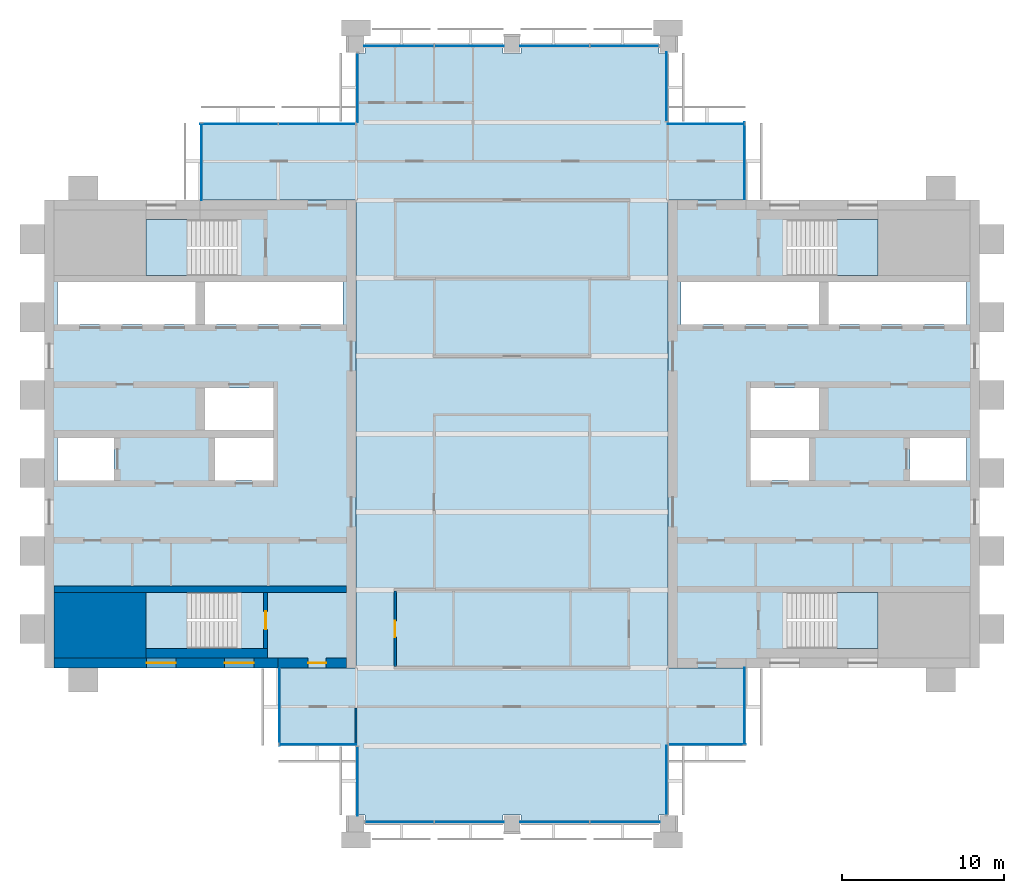
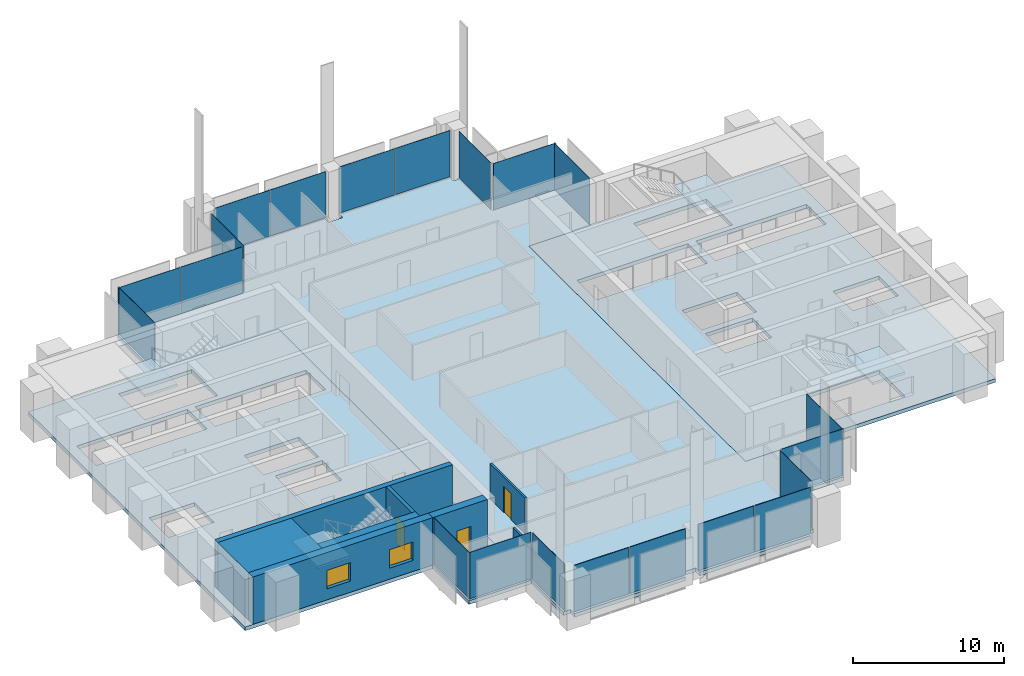
# One storey, part 7 of 12: 21 plates, 8 walls, 7 slabs, 3 doors, 2 windows, 5 openings, 18 elements without a shape of their own.
"""IFC4 building model written with IfcOpenShell, lengths in metres."""

from ifc_helpers import new_model, si_unit, direction, frame, frame_2d, origin, origin_2d, place, context, subcontext, project, spatial, polyline, rectangle, outline, extrude, material, layer, layer_set, type_object, element, fill, aggregate, save


model = new_model("IFC4")

# Units and contexts
model_context = context("Model", 3, precision=1e-05, world=origin(), true_north=direction((0.0, 1.0)))
body_context = subcontext(model_context, "Body", "Model", "MODEL_VIEW")
ifc_project = project(units=[si_unit("LENGTHUNIT", "METRE"), si_unit("AREAUNIT", "SQUARE_METRE"), si_unit("VOLUMEUNIT", "CUBIC_METRE"), si_unit("PLANEANGLEUNIT", "RADIAN"), si_unit("MASSUNIT", "GRAM", prefix="KILO")], contexts=[model_context])

# Site, building, storey
site_placement = place(None, origin())
site = spatial("IfcSite", under=ifc_project, at=site_placement, CompositionType="ELEMENT")
building_placement = place(site_placement, origin())
building = spatial("IfcBuilding", under=site, at=building_placement, Name="Baori Bourse Tower", CompositionType="ELEMENT")
storey_placement = place(building_placement, frame((0.0, 0.0, 282.300048828125)))
storey = spatial("IfcBuildingStorey", under=building, at=storey_placement, Name="L61", CompositionType="ELEMENT", Elevation=282.300048828125)

# Curtain wall, plate
ifc_material_1 = material(Name="Pale anodised aluminium", Category="aluminium")
curtain_wall_type_1 = type_object("IfcCurtainWallType", Name="CW2 Curtain wall", PredefinedType="NOTDEFINED", material=ifc_material_1)
curtain_wall_1_placement = place(storey_placement, origin())
curtain_wall_1 = element("IfcCurtainWall", 1, at=curtain_wall_1_placement, inside=storey, type_object=curtain_wall_type_1, Name="Curtain wall CW2 L61 1", PredefinedType="NOTDEFINED")
ifc_material_2 = material(Name="Clear glass", Category="glass")
ifc_layer_1 = layer(ifc_material_2, 0.030029296875)
ifc_layer_set_1 = layer_set([ifc_layer_1], Name="CW2 Curtain wall panel")
plate_type_1 = type_object("IfcPlateType", Name="CW2 Curtain wall panel", PredefinedType="CURTAIN_PANEL", material=ifc_layer_set_1)
plate_1_placement = place(storey_placement, frame((43.110107421875, 40.827392578125, 0.06982421875), z_axis=(0.0, 0.0, 1.0), x_axis=(0.0, 1.0, 0.0)))
plate_1 = element("IfcPlate", 2, at=plate_1_placement, type_object=plate_type_1, Name="Curtain wall CW2 panel", PredefinedType="CURTAIN_PANEL", context=body_context, shape_type="SweptSolid", body=[
    extrude(rectangle(XDim=4.7451171875, YDim=0.030029296875, at=origin_2d()), origin(), (0.0, 0.0, 1.0), 3.77001953125),
])
aggregate(curtain_wall_1, [plate_1])

curtain_wall_2_placement = place(storey_placement, origin())
curtain_wall_2 = element("IfcCurtainWall", 3, at=curtain_wall_2_placement, inside=storey, type_object=curtain_wall_type_1, Name="Curtain wall CW2 L61 2", PredefinedType="NOTDEFINED")
plate_2_placement = place(storey_placement, frame((40.7724609375, 43.110107421875, 0.06982421875), z_axis=(0.0, 0.0, 1.0), x_axis=(-1.0, 0.0, 0.0)))
plate_2 = element("IfcPlate", 4, at=plate_2_placement, type_object=plate_type_1, Name="Curtain wall CW2 panel", PredefinedType="CURTAIN_PANEL", context=body_context, shape_type="SweptSolid", body=[
    extrude(rectangle(XDim=4.7451171875, YDim=0.030029296875, at=origin_2d()), origin(), (0.0, 0.0, 1.0), 3.77001953125),
])
aggregate(curtain_wall_2, [plate_2])

curtain_wall_3_placement = place(storey_placement, origin())
curtain_wall_3 = element("IfcCurtainWall", 5, at=curtain_wall_3_placement, inside=storey, type_object=curtain_wall_type_1, Name="Curtain wall CW2 L61 3", PredefinedType="NOTDEFINED")
plate_3_placement = place(storey_placement, frame((38.31005859375, 45.37744140625, 0.06982421875), z_axis=(0.0, 0.0, 1.0), x_axis=(0.0, 1.0, 0.0)))
plate_3 = element("IfcPlate", 6, at=plate_3_placement, type_object=plate_type_1, Name="Curtain wall CW2 panel", PredefinedType="CURTAIN_PANEL", context=body_context, shape_type="SweptSolid", body=[
    extrude(rectangle(XDim=4.2451171875, YDim=0.030029296875, at=origin_2d()), origin(), (0.0, 0.0, 1.0), 3.77001953125),
])
aggregate(curtain_wall_3, [plate_3])

curtain_wall_4_placement = place(storey_placement, origin())
curtain_wall_4 = element("IfcCurtainWall", 7, at=curtain_wall_4_placement, inside=storey, type_object=curtain_wall_type_1, Name="Curtain wall CW2 L61 5", PredefinedType="NOTDEFINED")
plate_4_placement = place(storey_placement, frame((19.2900390625, 45.322509765625, 0.06982421875), z_axis=(0.0, 0.0, 1.0), x_axis=(0.0, -1.0, 0.0)))
plate_4 = element("IfcPlate", 8, at=plate_4_placement, type_object=plate_type_1, Name="Curtain wall CW2 panel", PredefinedType="CURTAIN_PANEL", context=body_context, shape_type="SweptSolid", body=[
    extrude(rectangle(XDim=4.2451171875, YDim=0.030029296875, at=origin_2d()), origin(), (0.0, 0.0, 1.0), 3.77001953125),
])
aggregate(curtain_wall_4, [plate_4])

# Curtain wall, plates
curtain_wall_5_placement = place(storey_placement, origin())
curtain_wall_5 = element("IfcCurtainWall", 9, at=curtain_wall_5_placement, inside=storey, type_object=curtain_wall_type_1, Name="Curtain wall CW2 L61 6", PredefinedType="NOTDEFINED")
plate_5_placement = place(storey_placement, frame((16.7861328125, 43.110107421875, 0.06982421875), z_axis=(0.0, 0.0, 1.0), x_axis=(-1.0, 0.0, 0.0)))
plate_5 = element("IfcPlate", 10, at=plate_5_placement, type_object=plate_type_1, Name="Curtain wall CW2 panel", PredefinedType="CURTAIN_PANEL", context=body_context, shape_type="SweptSolid", body=[
    extrude(rectangle(XDim=4.717529296875, YDim=0.030029296875, at=origin_2d()), origin(), (0.0, 0.0, 1.0), 3.77001953125),
])
plate_6_placement = place(storey_placement, frame((11.986328125, 43.110107421875, 0.06982421875), z_axis=(0.0, 0.0, 1.0), x_axis=(-1.0, 0.0, 0.0)))
plate_6 = element("IfcPlate", 11, at=plate_6_placement, type_object=plate_type_1, Name="Curtain wall CW2 panel", PredefinedType="CURTAIN_PANEL", context=body_context, shape_type="SweptSolid", body=[
    extrude(rectangle(XDim=4.7724609375, YDim=0.030029296875, at=origin_2d()), origin(), (0.0, 0.0, 1.0), 3.77001953125),
])
aggregate(curtain_wall_5, [plate_5, plate_6])

# Curtain wall, plate
curtain_wall_6_placement = place(storey_placement, origin())
curtain_wall_6 = element("IfcCurtainWall", 12, at=curtain_wall_6_placement, inside=storey, type_object=curtain_wall_type_1, Name="Curtain wall CW2 L61 7", PredefinedType="NOTDEFINED")
plate_7_placement = place(storey_placement, frame((9.68994140625, 40.7724609375, 0.06982421875), z_axis=(0.0, 0.0, 1.0), x_axis=(0.0, -1.0, 0.0)))
plate_7 = element("IfcPlate", 13, at=plate_7_placement, type_object=plate_type_1, Name="Curtain wall CW2 panel", PredefinedType="CURTAIN_PANEL", context=body_context, shape_type="SweptSolid", body=[
    extrude(rectangle(XDim=4.7451171875, YDim=0.030029296875, at=origin_2d()), origin(), (0.0, 0.0, 1.0), 3.77001953125),
])
aggregate(curtain_wall_6, [plate_7])

curtain_wall_7_placement = place(storey_placement, origin())
curtain_wall_7 = element("IfcCurtainWall", 14, at=curtain_wall_7_placement, inside=storey, type_object=curtain_wall_type_1, Name="Curtain wall CW2 L61 8", PredefinedType="NOTDEFINED")
plate_8_placement = place(storey_placement, frame((14.489990234375, 7.172607421875, 0.06982421875), z_axis=(0.0, 0.0, 1.0), x_axis=(0.0, -1.0, 0.0)))
plate_8 = element("IfcPlate", 15, at=plate_8_placement, type_object=plate_type_1, Name="Curtain wall CW2 panel", PredefinedType="CURTAIN_PANEL", context=body_context, shape_type="SweptSolid", body=[
    extrude(rectangle(XDim=4.7451171875, YDim=0.030029296875, at=origin_2d()), origin(), (0.0, 0.0, 1.0), 3.77001953125),
])
aggregate(curtain_wall_7, [plate_8])

curtain_wall_8_placement = place(storey_placement, origin())
curtain_wall_8 = element("IfcCurtainWall", 16, at=curtain_wall_8_placement, inside=storey, type_object=curtain_wall_type_1, Name="Curtain wall CW2 L61 9", PredefinedType="NOTDEFINED")
plate_9_placement = place(storey_placement, frame((16.827392578125, 4.889892578125, 0.06982421875), z_axis=(0.0, 0.0, 1.0), x_axis=(1.0, 0.0, 0.0)))
plate_9 = element("IfcPlate", 17, at=plate_9_placement, type_object=plate_type_1, Name="Curtain wall CW2 panel", PredefinedType="CURTAIN_PANEL", context=body_context, shape_type="SweptSolid", body=[
    extrude(rectangle(XDim=4.7451171875, YDim=0.030029296875, at=origin_2d()), origin(), (0.0, 0.0, 1.0), 3.77001953125),
])
aggregate(curtain_wall_8, [plate_9])

curtain_wall_9_placement = place(storey_placement, origin())
curtain_wall_9 = element("IfcCurtainWall", 18, at=curtain_wall_9_placement, inside=storey, type_object=curtain_wall_type_1, Name="Curtain wall CW2 L61 10", PredefinedType="NOTDEFINED")
plate_10_placement = place(storey_placement, frame((19.2900390625, 2.62255859375, 0.06982421875), z_axis=(0.0, 0.0, 1.0), x_axis=(0.0, -1.0, 0.0)))
plate_10 = element("IfcPlate", 19, at=plate_10_placement, type_object=plate_type_1, Name="Curtain wall CW2 panel", PredefinedType="CURTAIN_PANEL", context=body_context, shape_type="SweptSolid", body=[
    extrude(rectangle(XDim=4.2451171875, YDim=0.030029296875, at=origin_2d()), origin(), (0.0, 0.0, 1.0), 3.77001953125),
])
aggregate(curtain_wall_9, [plate_10])

curtain_wall_10_placement = place(storey_placement, origin())
curtain_wall_10 = element("IfcCurtainWall", 20, at=curtain_wall_10_placement, inside=storey, type_object=curtain_wall_type_1, Name="Curtain wall CW2 L61 12", PredefinedType="NOTDEFINED")
plate_11_placement = place(storey_placement, frame((38.31005859375, 2.677490234375, 0.06982421875), z_axis=(0.0, 0.0, 1.0), x_axis=(0.0, 1.0, 0.0)))
plate_11 = element("IfcPlate", 21, at=plate_11_placement, type_object=plate_type_1, Name="Curtain wall CW2 panel", PredefinedType="CURTAIN_PANEL", context=body_context, shape_type="SweptSolid", body=[
    extrude(rectangle(XDim=4.2451171875, YDim=0.030029296875, at=origin_2d()), origin(), (0.0, 0.0, 1.0), 3.77001953125),
])
aggregate(curtain_wall_10, [plate_11])

curtain_wall_11_placement = place(storey_placement, origin())
curtain_wall_11 = element("IfcCurtainWall", 22, at=curtain_wall_11_placement, inside=storey, type_object=curtain_wall_type_1, Name="Curtain wall CW2 L61 13", PredefinedType="NOTDEFINED")
plate_12_placement = place(storey_placement, frame((40.827392578125, 4.889892578125, 0.06982421875), z_axis=(0.0, 0.0, 1.0), x_axis=(1.0, 0.0, 0.0)))
plate_12 = element("IfcPlate", 23, at=plate_12_placement, type_object=plate_type_1, Name="Curtain wall CW2 panel", PredefinedType="CURTAIN_PANEL", context=body_context, shape_type="SweptSolid", body=[
    extrude(rectangle(XDim=4.7451171875, YDim=0.030029296875, at=origin_2d()), origin(), (0.0, 0.0, 1.0), 3.77001953125),
])
aggregate(curtain_wall_11, [plate_12])

curtain_wall_12_placement = place(storey_placement, origin())
curtain_wall_12 = element("IfcCurtainWall", 24, at=curtain_wall_12_placement, inside=storey, type_object=curtain_wall_type_1, Name="Curtain wall CW2 L61 14", PredefinedType="NOTDEFINED")
plate_13_placement = place(storey_placement, frame((43.110107421875, 7.2275390625, 0.06982421875), z_axis=(0.0, 0.0, 1.0), x_axis=(0.0, 1.0, 0.0)))
plate_13 = element("IfcPlate", 25, at=plate_13_placement, type_object=plate_type_1, Name="Curtain wall CW2 panel", PredefinedType="CURTAIN_PANEL", context=body_context, shape_type="SweptSolid", body=[
    extrude(rectangle(XDim=4.7451171875, YDim=0.030029296875, at=origin_2d()), origin(), (0.0, 0.0, 1.0), 3.77001953125),
])
aggregate(curtain_wall_12, [plate_13])

# Curtain wall, plates
ifc_material_3 = material(Name="Pale anodised aluminium", Category="aluminium")
curtain_wall_type_2 = type_object("IfcCurtainWallType", Name="CW5 Curtain wall", PredefinedType="NOTDEFINED", material=ifc_material_3)
curtain_wall_13_placement = place(storey_placement, origin())
curtain_wall_13 = element("IfcCurtainWall", 26, at=curtain_wall_13_placement, inside=storey, type_object=curtain_wall_type_2, Name="Curtain wall CW5 L61 4", PredefinedType="NOTDEFINED")
ifc_material_4 = material(Name="Clear glass", Category="glass")
ifc_layer_2 = layer(ifc_material_4, 0.035888671875)
ifc_layer_set_2 = layer_set([ifc_layer_2], Name="CW5 Curtain wall panel")
plate_type_2 = type_object("IfcPlateType", Name="CW5 Curtain wall panel", PredefinedType="CURTAIN_PANEL", material=ifc_layer_set_2)
plate_14_placement = place(storey_placement, frame((35.733642578125, 47.889892578125, 0.0849609375), z_axis=(0.0, 0.0, 1.0), x_axis=(-1.0, 0.0, 0.0)))
plate_14 = element("IfcPlate", 27, at=plate_14_placement, type_object=plate_type_2, Name="Curtain wall CW5 panel", PredefinedType="CURTAIN_PANEL", context=body_context, shape_type="SweptSolid", body=[
    extrude(rectangle(XDim=4.202392578125, YDim=0.035888671875, at=origin_2d()), origin(), (0.0, 0.0, 1.0), 3.7548828125),
])
plate_15_placement = place(storey_placement, frame((31.433837890625, 47.889892578125, 0.0849609375), z_axis=(0.0, 0.0, 1.0), x_axis=(-1.0, 0.0, 0.0)))
plate_15 = element("IfcPlate", 28, at=plate_15_placement, type_object=plate_type_2, Name="Curtain wall CW5 panel", PredefinedType="CURTAIN_PANEL", context=body_context, shape_type="SweptSolid", body=[
    extrude(rectangle(XDim=4.267578125, YDim=0.035888671875, at=origin_2d()), origin(), (0.0, 0.0, 1.0), 3.7548828125),
])
plate_16_placement = place(storey_placement, frame((26.166259765625, 47.889892578125, 0.0849609375), z_axis=(0.0, 0.0, 1.0), x_axis=(-1.0, 0.0, 0.0)))
plate_16 = element("IfcPlate", 29, at=plate_16_placement, type_object=plate_type_2, Name="Curtain wall CW5 panel", PredefinedType="CURTAIN_PANEL", context=body_context, shape_type="SweptSolid", body=[
    extrude(rectangle(XDim=4.267578125, YDim=0.035888671875, at=origin_2d()), origin(), (0.0, 0.0, 1.0), 3.7548828125),
])
plate_17_placement = place(storey_placement, frame((21.833740234375, 47.889892578125, 0.0849609375), z_axis=(0.0, 0.0, 1.0), x_axis=(-1.0, 0.0, 0.0)))
plate_17 = element("IfcPlate", 30, at=plate_17_placement, type_object=plate_type_2, Name="Curtain wall CW5 panel", PredefinedType="CURTAIN_PANEL", context=body_context, shape_type="SweptSolid", body=[
    extrude(rectangle(XDim=4.267578125, YDim=0.035888671875, at=origin_2d()), origin(), (0.0, 0.0, 1.0), 3.7548828125),
])
aggregate(curtain_wall_13, [plate_14, plate_15, plate_16, plate_17])

curtain_wall_14_placement = place(storey_placement, origin())
curtain_wall_14 = element("IfcCurtainWall", 31, at=curtain_wall_14_placement, inside=storey, type_object=curtain_wall_type_2, Name="Curtain wall CW5 L61 11", PredefinedType="NOTDEFINED")
plate_18_placement = place(storey_placement, frame((21.8662109375, 0.110107421875, 0.0849609375), z_axis=(0.0, 0.0, 1.0), x_axis=(1.0, 0.0, 0.0)))
plate_18 = element("IfcPlate", 32, at=plate_18_placement, type_object=plate_type_2, Name="Curtain wall CW5 panel", PredefinedType="CURTAIN_PANEL", context=body_context, shape_type="SweptSolid", body=[
    extrude(rectangle(XDim=4.202392578125, YDim=0.035888671875, at=origin_2d()), origin(), (0.0, 0.0, 1.0), 3.7548828125),
])
plate_19_placement = place(storey_placement, frame((26.166259765625, 0.110107421875, 0.0849609375), z_axis=(0.0, 0.0, 1.0), x_axis=(1.0, 0.0, 0.0)))
plate_19 = element("IfcPlate", 33, at=plate_19_placement, type_object=plate_type_2, Name="Curtain wall CW5 panel", PredefinedType="CURTAIN_PANEL", context=body_context, shape_type="SweptSolid", body=[
    extrude(rectangle(XDim=4.267578125, YDim=0.035888671875, at=origin_2d()), origin(), (0.0, 0.0, 1.0), 3.7548828125),
])
plate_20_placement = place(storey_placement, frame((31.433837890625, 0.110107421875, 0.0849609375), z_axis=(0.0, 0.0, 1.0), x_axis=(1.0, 0.0, 0.0)))
plate_20 = element("IfcPlate", 34, at=plate_20_placement, type_object=plate_type_2, Name="Curtain wall CW5 panel", PredefinedType="CURTAIN_PANEL", context=body_context, shape_type="SweptSolid", body=[
    extrude(rectangle(XDim=4.267578125, YDim=0.035888671875, at=origin_2d()), origin(), (0.0, 0.0, 1.0), 3.7548828125),
])
plate_21_placement = place(storey_placement, frame((35.766357421875, 0.110107421875, 0.0849609375), z_axis=(0.0, 0.0, 1.0), x_axis=(1.0, 0.0, 0.0)))
plate_21 = element("IfcPlate", 35, at=plate_21_placement, type_object=plate_type_2, Name="Curtain wall CW5 panel", PredefinedType="CURTAIN_PANEL", context=body_context, shape_type="SweptSolid", body=[
    extrude(rectangle(XDim=4.267578125, YDim=0.035888671875, at=origin_2d()), origin(), (0.0, 0.0, 1.0), 3.7548828125),
])
aggregate(curtain_wall_14, [plate_18, plate_19, plate_20, plate_21])

# Slabs
ifc_material_5 = material(Name="Concrete f'c 50 MPa", Category="concrete")
ifc_layer_3 = layer(ifc_material_5, 0.300048828125)
ifc_layer_set_3 = layer_set([ifc_layer_3], Name="Core slab 300")
slab_type_1 = type_object("IfcSlabType", Name="Core slab 300", PredefinedType="FLOOR", material=ifc_layer_set_3)
slab_1_placement = place(storey_placement, frame((0.0, 0.0, -0.300048828125)))
element("IfcSlab", 36, at=slab_1_placement, inside=storey, type_object=slab_type_1, Name="Core floor slab W01", PredefinedType="FLOOR", context=body_context, shape_type="SweptSolid", body=[
    extrude(outline(polyline([(19.199951171875, 38.39990234375), (0.0, 38.39990234375), (0.0, 9.60009765625), (19.199951171875, 9.60009765625), (19.199951171875, 38.39990234375)]), holes=[polyline([(9.89990234375, 33.35009765625), (18.39990234375, 33.35009765625), (18.39990234375, 30.75), (9.89990234375, 30.75), (9.89990234375, 33.35009765625)]), polyline([(10.5, 21.14990234375), (10.5, 23.75), (14.10009765625, 23.75), (14.10009765625, 21.14990234375), (10.5, 21.14990234375)]), polyline([(14.10009765625, 24.25), (9.89990234375, 24.25), (9.89990234375, 26.85009765625), (14.10009765625, 26.85009765625), (14.10009765625, 24.25)]), polyline([(6.25, 14.25), (11.84912109375, 14.25), (11.84912109375, 10.800048828125), (6.25, 10.800048828125), (6.25, 14.25)]), polyline([(11.84912109375, 37.199951171875), (11.84912109375, 33.75), (6.25, 33.75), (6.25, 37.199951171875), (11.84912109375, 37.199951171875)]), polyline([(0.800048828125, 30.75), (0.800048828125, 33.35009765625), (9.300048828125, 33.35009765625), (9.300048828125, 30.75), (0.800048828125, 30.75)]), polyline([(4.300048828125, 23.75), (4.300048828125, 21.14990234375), (0.800048828125, 21.14990234375), (0.800048828125, 23.75), (4.300048828125, 23.75)])]), origin(), (0.0, 0.0, 1.0), 0.300048828125),
])
slab_2_placement = place(storey_placement, frame((0.0, 0.0, -0.300048828125)))
element("IfcSlab", 37, at=slab_2_placement, inside=storey, type_object=slab_type_1, Name="Core floor slab E01", PredefinedType="FLOOR", context=body_context, shape_type="SweptSolid", body=[
    extrude(outline(polyline([(57.60009765625, 9.60009765625), (57.60009765625, 38.39990234375), (38.39990234375, 38.39990234375), (38.39990234375, 9.60009765625), (57.60009765625, 9.60009765625)]), holes=[polyline([(48.300048828125, 33.35009765625), (56.800048828125, 33.35009765625), (56.800048828125, 30.75), (48.300048828125, 30.75), (48.300048828125, 33.35009765625)]), polyline([(56.800048828125, 21.14990234375), (53.300048828125, 21.14990234375), (53.300048828125, 23.75), (56.800048828125, 23.75), (56.800048828125, 21.14990234375)]), polyline([(45.750732421875, 14.25), (51.35009765625, 14.25), (51.35009765625, 10.800048828125), (45.750732421875, 10.800048828125), (45.750732421875, 14.25)]), polyline([(51.35009765625, 37.199951171875), (51.35009765625, 33.75), (45.750732421875, 33.75), (45.750732421875, 37.199951171875), (51.35009765625, 37.199951171875)]), polyline([(43.5, 24.25), (43.5, 26.85009765625), (47.699951171875, 26.85009765625), (47.699951171875, 24.25), (43.5, 24.25)]), polyline([(47.699951171875, 33.35009765625), (47.699951171875, 30.75), (39.199951171875, 30.75), (39.199951171875, 33.35009765625), (47.699951171875, 33.35009765625)]), polyline([(43.5, 23.75), (47.10009765625, 23.75), (47.10009765625, 21.14990234375), (43.5, 21.14990234375), (43.5, 23.75)])]), origin(), (0.0, 0.0, 1.0), 0.300048828125),
])

# Stair, slab
ifc_material_6 = material(Name="Concrete f'c 50 MPa", Category="concrete")
stair_type = type_object("IfcStairType", Name="Core stair", PredefinedType="HALF_TURN_STAIR", material=ifc_material_6)
stair_1_placement = place(storey_placement, origin())
stair_1 = element("IfcStair", 38, at=stair_1_placement, inside=storey, type_object=stair_type, Name="L61 Stair WA", PredefinedType="HALF_TURN_STAIR")
ifc_material_7 = material(Name="Concrete f'c 50 MPa", Category="concrete")
slab_type_2 = type_object("IfcSlabType", Name="Core stair landing", PredefinedType="LANDING", material=ifc_material_7)
slab_3_placement = place(storey_placement, frame((0.0, 0.0, 1.800048828125)))
slab_3 = element("IfcSlab", 39, at=slab_3_placement, type_object=slab_type_2, Name="ST1 landing 1", PredefinedType="LANDING", context=body_context, shape_type="SweptSolid", body=[
    extrude(outline(polyline([(8.77001953125, 14.25), (6.25, 14.25), (6.25, 10.800048828125), (8.77001953125, 10.800048828125), (8.77001953125, 14.25)])), origin(), (0.0, 0.0, 1.0), 0.199951171875),
])
aggregate(stair_1, [slab_3])

stair_2_placement = place(storey_placement, origin())
stair_2 = element("IfcStair", 40, at=stair_2_placement, inside=storey, type_object=stair_type, Name="L61 Stair WB", PredefinedType="HALF_TURN_STAIR")
slab_4_placement = place(storey_placement, frame((0.0, 0.0, 1.800048828125)))
slab_4 = element("IfcSlab", 41, at=slab_4_placement, type_object=slab_type_2, Name="ST2 landing 1", PredefinedType="LANDING", context=body_context, shape_type="SweptSolid", body=[
    extrude(outline(polyline([(8.77001953125, 37.199951171875), (6.25, 37.199951171875), (6.25, 33.75), (8.77001953125, 33.75), (8.77001953125, 37.199951171875)])), origin(), (0.0, 0.0, 1.0), 0.199951171875),
])
aggregate(stair_2, [slab_4])

stair_3_placement = place(storey_placement, origin())
stair_3 = element("IfcStair", 42, at=stair_3_placement, inside=storey, type_object=stair_type, Name="L61 Stair EA", PredefinedType="HALF_TURN_STAIR")
slab_5_placement = place(storey_placement, frame((0.0, 0.0, 1.800048828125)))
slab_5 = element("IfcSlab", 43, at=slab_5_placement, type_object=slab_type_2, Name="ST3 landing 1", PredefinedType="LANDING", context=body_context, shape_type="SweptSolid", body=[
    extrude(outline(polyline([(48.830078125, 10.800048828125), (51.35009765625, 10.800048828125), (51.35009765625, 14.25), (48.830078125, 14.25), (48.830078125, 10.800048828125)])), origin(), (0.0, 0.0, 1.0), 0.199951171875),
])
aggregate(stair_3, [slab_5])

stair_4_placement = place(storey_placement, origin())
stair_4 = element("IfcStair", 44, at=stair_4_placement, inside=storey, type_object=stair_type, Name="L61 Stair EB", PredefinedType="HALF_TURN_STAIR")
slab_6_placement = place(storey_placement, frame((0.0, 0.0, 1.800048828125)))
slab_6 = element("IfcSlab", 45, at=slab_6_placement, type_object=slab_type_2, Name="ST4 landing 1", PredefinedType="LANDING", context=body_context, shape_type="SweptSolid", body=[
    extrude(outline(polyline([(48.830078125, 33.75), (51.35009765625, 33.75), (51.35009765625, 37.199951171875), (48.830078125, 37.199951171875), (48.830078125, 33.75)])), origin(), (0.0, 0.0, 1.0), 0.199951171875),
])
aggregate(stair_4, [slab_6])

# Slab
ifc_material_8 = material(Name="Concrete f'c 40 MPa", Category="concrete")
ifc_layer_4 = layer(ifc_material_8, 0.300048828125)
ifc_layer_set_4 = layer_set([ifc_layer_4], Name="Floor slab 300")
slab_type_3 = type_object("IfcSlabType", Name="Floor slab 300", PredefinedType="FLOOR", material=ifc_layer_set_4)
slab_7_placement = place(storey_placement, frame((0.0, 0.0, -0.300048828125)))
element("IfcSlab", 46, at=slab_7_placement, inside=storey, type_object=slab_type_3, Name="Floor slab L61", PredefinedType="FLOOR", context=body_context, shape_type="SweptSolid", body=[
    extrude(outline(polyline([(19.199951171875, 4.800048828125), (14.39990234375, 4.800048828125), (14.39990234375, 9.60009765625), (19.199951171875, 9.60009765625), (19.199951171875, 38.39990234375), (9.60009765625, 38.39990234375), (9.60009765625, 43.199951171875), (19.199951171875, 43.199951171875), (19.199951171875, 47.449951171875), (19.75, 47.449951171875), (19.75, 48.0), (28.25, 48.0), (28.25, 47.449951171875), (29.35009765625, 47.449951171875), (29.35009765625, 48.0), (37.85009765625, 48.0), (37.85009765625, 47.449951171875), (38.39990234375, 47.449951171875), (38.39990234375, 43.199951171875), (43.199951171875, 43.199951171875), (43.199951171875, 38.39990234375), (38.39990234375, 38.39990234375), (38.39990234375, 9.60009765625), (43.199951171875, 9.60009765625), (43.199951171875, 4.800048828125), (38.39990234375, 4.800048828125), (38.39990234375, 0.550048828125), (37.85009765625, 0.550048828125), (37.85009765625, 0.0), (29.35009765625, 0.0), (29.35009765625, 0.550048828125), (28.25, 0.550048828125), (28.25, 0.0), (19.75, 0.0), (19.75, 0.550048828125), (19.199951171875, 0.550048828125), (19.199951171875, 4.800048828125)])), origin(), (0.0, 0.0, 1.0), 0.300048828125),
])

# Wall
ifc_material_9 = material(Name="Concrete f'c 40 MPa", Category="concrete")
wall_type_1 = type_object("IfcWallType", Name="Core corner block f'c 40", PredefinedType="SHEAR", material=ifc_material_9)
wall_1_placement = place(storey_placement, frame((0.60009765625, 12.22509765625, 0.0), z_axis=(0.0, 0.0, 1.0), x_axis=(1.0, 0.0, 0.0)))
element("IfcWall", 47, at=wall_1_placement, inside=storey, type_object=wall_type_1, Name="Core wall W05", PredefinedType="SHEAR", context=body_context, shape_type="SweptSolid", body=[
    extrude(rectangle(XDim=5.64990234375, YDim=4.050048828125, at=frame_2d((2.824951171875, 0.0))), origin(), (0.0, 0.0, 1.0), 3.83984375),
])

# Wall, openings, windows
ifc_material_10 = material(Name="Concrete f'c 40 MPa", Category="concrete")
ifc_layer_5 = layer(ifc_material_10, 0.60009765625)
ifc_layer_set_5 = layer_set([ifc_layer_5], Name="Core wall 600 f'c 40")
wall_type_2 = type_object("IfcWallType", Name="Core wall 600 f'c 40", PredefinedType="SHEAR", material=ifc_layer_set_5)
wall_2_placement = place(storey_placement, frame((14.39990234375, 9.89990234375, 0.0), z_axis=(0.0, 0.0, 1.0), x_axis=(-1.0, 0.0, 0.0)))
wall_2 = element("IfcWall", 48, at=wall_2_placement, inside=storey, type_object=wall_type_2, Name="Core wall W02", PredefinedType="SHEAR", context=body_context, shape_type="SweptSolid", body=[
    extrude(rectangle(XDim=13.7998046875, YDim=0.60009765625, at=frame_2d((6.89990234375, 0.0))), origin(), (0.0, 0.0, 1.0), 3.83984375),
])
opening_1_placement = place(wall_2_placement, frame((6.300048828125, 0.0, 0.89990234375)))
opening_1 = element("IfcOpeningElement", 49, at=opening_1_placement, cuts=wall_2, Name="Opening L61-KW103", PredefinedType="OPENING", context=body_context, shape_type="SweptSolid", body=[
    extrude(rectangle(XDim=1.800048828125, YDim=1.5, at=frame_2d((0.89990234375, 0.75))), frame((0.0, 0.31005859375, 0.0), z_axis=(0.0, -1.0, 0.0), x_axis=(1.0, 0.0, 0.0)), (0.0, 0.0, 1.0), 0.6201171875),
])
opening_2_placement = place(wall_2_placement, frame((1.5, 0.0, 0.89990234375)))
opening_2 = element("IfcOpeningElement", 50, at=opening_2_placement, cuts=wall_2, Name="Opening L61-KW104", PredefinedType="OPENING", context=body_context, shape_type="SweptSolid", body=[
    extrude(rectangle(XDim=1.800048828125, YDim=1.5, at=frame_2d((0.89990234375, 0.75))), frame((0.0, 0.31005859375, 0.0), z_axis=(0.0, -1.0, 0.0), x_axis=(1.0, 0.0, 0.0)), (0.0, 0.0, 1.0), 0.6201171875),
])
ifc_material_11 = material(Name="Pale anodised aluminium", Category="aluminium")
window_type = type_object("IfcWindowType", Name="Stair window 1800 x 1500", PartitioningType="SINGLE_PANEL", PredefinedType="WINDOW", material=ifc_material_11)
window_1_placement = place(opening_1_placement, origin())
window_1 = element("IfcWindow", 51, at=window_1_placement, inside=storey, type_object=window_type, Name="Stair window W L61 3", OverallHeight=1.5, OverallWidth=1.800048828125, PartitioningType="SINGLE_PANEL", PredefinedType="WINDOW", context=body_context, shape_type="SweptSolid", body=[
    extrude(rectangle(XDim=1.800048828125, YDim=1.5, at=frame_2d((0.89990234375, 0.75))), frame((0.0, 0.030029296875, 0.0), z_axis=(0.0, -1.0, 0.0), x_axis=(1.0, 0.0, 0.0)), (0.0, 0.0, 1.0), 0.06005859375),
])
fill(opening_1, window_1)
window_2_placement = place(opening_2_placement, origin())
window_2 = element("IfcWindow", 52, at=window_2_placement, inside=storey, type_object=window_type, Name="Stair window W L61 4", OverallHeight=1.5, OverallWidth=1.800048828125, PartitioningType="SINGLE_PANEL", PredefinedType="WINDOW", context=body_context, shape_type="SweptSolid", body=[
    extrude(rectangle(XDim=1.800048828125, YDim=1.5, at=frame_2d((0.89990234375, 0.75))), frame((0.0, 0.030029296875, 0.0), z_axis=(0.0, -1.0, 0.0), x_axis=(1.0, 0.0, 0.0)), (0.0, 0.0, 1.0), 0.06005859375),
])
fill(opening_2, window_2)

# Wall, opening, door
wall_3_placement = place(storey_placement, frame((18.60009765625, 9.89990234375, 0.0), z_axis=(0.0, 0.0, 1.0), x_axis=(-1.0, 0.0, 0.0)))
wall_3 = element("IfcWall", 53, at=wall_3_placement, inside=storey, type_object=wall_type_2, Name="Core wall W03", PredefinedType="SHEAR", context=body_context, shape_type="SweptSolid", body=[
    extrude(rectangle(XDim=4.2001953125, YDim=0.60009765625, at=frame_2d((2.10009765625, 0.0))), origin(), (0.0, 0.0, 1.0), 3.83984375),
])
opening_3_placement = place(wall_3_placement, frame((1.25, 0.0, 0.0)))
opening_3 = element("IfcOpeningElement", 54, at=opening_3_placement, cuts=wall_3, Name="Opening L61-D102", PredefinedType="OPENING", context=body_context, shape_type="SweptSolid", body=[
    extrude(rectangle(XDim=1.10009765625, YDim=2.10009765625, at=frame_2d((0.550048828125, 1.050048828125))), frame((0.0, 0.31005859375, 0.0), z_axis=(0.0, -1.0, 0.0), x_axis=(1.0, 0.0, 0.0)), (0.0, 0.0, 1.0), 0.6201171875),
])
ifc_material_12 = material(Name="Painted steel door", Category="steel")
door_type_1 = type_object("IfcDoorType", Name="Stair door 1100", OperationType="SINGLE_SWING_LEFT", PredefinedType="DOOR", material=ifc_material_12)
door_1_placement = place(opening_3_placement, origin())
door_1 = element("IfcDoor", 55, at=door_1_placement, inside=storey, type_object=door_type_1, Name="Stair vestibule door A W L61", OperationType="SINGLE_SWING_LEFT", OverallHeight=2.10009765625, OverallWidth=1.10009765625, PredefinedType="DOOR", context=body_context, shape_type="SweptSolid", body=[
    extrude(rectangle(XDim=1.10009765625, YDim=2.10009765625, at=frame_2d((0.550048828125, 1.050048828125))), frame((0.0, 0.02490234375, 0.0), z_axis=(0.0, -1.0, 0.0), x_axis=(1.0, 0.0, 0.0)), (0.0, 0.0, 1.0), 0.050048828125),
])
fill(opening_3, door_1)

ifc_material_13 = material(Name="Gypsum board partition")
ifc_layer_6 = layer(ifc_material_13, 0.14990234375)
ifc_layer_set_6 = layer_set([ifc_layer_6], Name="Corridor partition 150")
wall_type_3 = type_object("IfcWallType", Name="Corridor partition 150", PredefinedType="PARTITIONING", material=ifc_layer_set_6)
wall_4_placement = place(storey_placement, frame((21.60009765625, 9.675048828125, 0.0), z_axis=(0.0, 0.0, 1.0), x_axis=(0.0, 1.0, 0.0)))
wall_4 = element("IfcWall", 56, at=wall_4_placement, inside=storey, type_object=wall_type_3, Name="Partition", PredefinedType="PARTITIONING", context=body_context, shape_type="SweptSolid", body=[
    extrude(rectangle(XDim=4.64990234375, YDim=0.14990234375, at=frame_2d((2.324951171875, 0.0))), origin(), (0.0, 0.0, 1.0), 2.86962890625),
])
opening_4_placement = place(wall_4_placement, frame((1.824951171875, 0.0, 0.0)))
opening_4 = element("IfcOpeningElement", 57, at=opening_4_placement, cuts=wall_4, Name="Opening L61-D14", PredefinedType="OPENING", context=body_context, shape_type="SweptSolid", body=[
    extrude(rectangle(XDim=1.0, YDim=2.10009765625, at=frame_2d((0.5, 1.050048828125))), frame((0.0, 0.0849609375, 0.0), z_axis=(0.0, -1.0, 0.0), x_axis=(1.0, 0.0, 0.0)), (0.0, 0.0, 1.0), 0.169921875),
])
ifc_material_14 = material(Name="Timber door leaf", Category="wood")
door_type_2 = type_object("IfcDoorType", Name="Door 1000 x 2100", OperationType="SINGLE_SWING_LEFT", PredefinedType="DOOR", material=ifc_material_14)
door_2_placement = place(opening_4_placement, origin())
door_2 = element("IfcDoor", 58, at=door_2_placement, inside=storey, type_object=door_type_2, Name="Door", OperationType="SINGLE_SWING_LEFT", OverallHeight=2.10009765625, OverallWidth=1.0, PredefinedType="DOOR", context=body_context, shape_type="SweptSolid", body=[
    extrude(rectangle(XDim=1.0, YDim=2.10009765625, at=frame_2d((0.5, 1.050048828125))), frame((0.0, 0.02490234375, 0.0), z_axis=(0.0, -1.0, 0.0), x_axis=(1.0, 0.0, 0.0)), (0.0, 0.0, 1.0), 0.050048828125),
])
fill(opening_4, door_2)

# Wall
ifc_material_15 = material(Name="Gypsum board partition")
ifc_layer_7 = layer(ifc_material_15, 0.125)
ifc_layer_set_7 = layer_set([ifc_layer_7], Name="Partition 125")
wall_type_4 = type_object("IfcWallType", Name="Partition 125", PredefinedType="PARTITIONING", material=ifc_layer_set_7)
wall_5_placement = place(storey_placement, frame((19.199951171875, 4.89990234375, 0.0), z_axis=(0.0, 0.0, 1.0), x_axis=(0.0, 1.0, 0.0)))
element("IfcWall", 59, at=wall_5_placement, inside=storey, type_object=wall_type_4, Name="Partition", PredefinedType="PARTITIONING", context=body_context, shape_type="SweptSolid", body=[
    extrude(rectangle(XDim=2.22509765625, YDim=0.125, at=frame_2d((1.112548828125, 0.0))), origin(), (0.0, 0.0, 1.0), 2.86962890625),
])

# Wall, opening, door
ifc_material_16 = material(Name="Concrete f'c 40 MPa", Category="concrete")
ifc_layer_8 = layer(ifc_material_16, 0.25)
ifc_layer_set_8 = layer_set([ifc_layer_8], Name="Shaft wall 250 f'c 40")
wall_type_5 = type_object("IfcWallType", Name="Shaft wall 250 f'c 40", PredefinedType="SHEAR", material=ifc_layer_set_8)
wall_6_placement = place(storey_placement, frame((13.625, 10.800048828125, 0.0), z_axis=(0.0, 0.0, 1.0), x_axis=(0.0, 1.0, 0.0)))
wall_6 = element("IfcWall", 60, at=wall_6_placement, inside=storey, type_object=wall_type_5, Name="Core wall W07", PredefinedType="SHEAR", context=body_context, shape_type="SweptSolid", body=[
    extrude(rectangle(XDim=3.449951171875, YDim=0.25, at=frame_2d((1.72509765625, 0.0))), origin(), (0.0, 0.0, 1.0), 3.83984375),
])
opening_5_placement = place(wall_6_placement, frame((1.175048828125, 0.0, 0.0)))
opening_5 = element("IfcOpeningElement", 61, at=opening_5_placement, cuts=wall_6, Name="Opening L61-D101", PredefinedType="OPENING", context=body_context, shape_type="SweptSolid", body=[
    extrude(rectangle(XDim=1.10009765625, YDim=2.10009765625, at=frame_2d((0.550048828125, 1.050048828125))), frame((0.0, 0.135009765625, 0.0), z_axis=(0.0, -1.0, 0.0), x_axis=(1.0, 0.0, 0.0)), (0.0, 0.0, 1.0), 0.27001953125),
])
door_3_placement = place(opening_5_placement, origin())
door_3 = element("IfcDoor", 62, at=door_3_placement, inside=storey, type_object=door_type_1, Name="Stair door A W L61", OperationType="SINGLE_SWING_LEFT", OverallHeight=2.10009765625, OverallWidth=1.10009765625, PredefinedType="DOOR", context=body_context, shape_type="SweptSolid", body=[
    extrude(rectangle(XDim=1.10009765625, YDim=2.10009765625, at=frame_2d((0.550048828125, 1.050048828125))), frame((0.0, 0.02490234375, 0.0), z_axis=(0.0, -1.0, 0.0), x_axis=(1.0, 0.0, 0.0)), (0.0, 0.0, 1.0), 0.050048828125),
])
fill(opening_5, door_3)

# Walls
ifc_material_17 = material(Name="Concrete f'c 40 MPa", Category="concrete")
ifc_layer_9 = layer(ifc_material_17, 0.39990234375)
ifc_layer_set_9 = layer_set([ifc_layer_9], Name="Shaft wall 400 f'c 40")
wall_type_6 = type_object("IfcWallType", Name="Shaft wall 400 f'c 40", PredefinedType="SHEAR", material=ifc_layer_set_9)
wall_7_placement = place(storey_placement, frame((0.60009765625, 14.449951171875, 0.0), z_axis=(0.0, 0.0, 1.0), x_axis=(1.0, 0.0, 0.0)))
element("IfcWall", 63, at=wall_7_placement, inside=storey, type_object=wall_type_6, Name="Core wall W08", PredefinedType="SHEAR", context=body_context, shape_type="SweptSolid", body=[
    extrude(rectangle(XDim=18.0, YDim=0.39990234375, at=frame_2d((9.0, 0.0))), origin(), (0.0, 0.0, 1.0), 3.83984375),
])
ifc_material_18 = material(Name="Concrete f'c 40 MPa", Category="concrete")
ifc_layer_10 = layer(ifc_material_18, 0.60009765625)
ifc_layer_set_10 = layer_set([ifc_layer_10], Name="Shaft wall 600 f'c 40")
wall_type_7 = type_object("IfcWallType", Name="Shaft wall 600 f'c 40", PredefinedType="SHEAR", material=ifc_layer_set_10)
wall_8_placement = place(storey_placement, frame((6.25, 10.5, 0.0), z_axis=(0.0, 0.0, 1.0), x_axis=(1.0, 0.0, 0.0)))
element("IfcWall", 64, at=wall_8_placement, inside=storey, type_object=wall_type_7, Name="Core wall W06", PredefinedType="SHEAR", context=body_context, shape_type="SweptSolid", body=[
    extrude(rectangle(XDim=7.5, YDim=0.60009765625, at=frame_2d((3.75, 0.0))), origin(), (0.0, 0.0, 1.0), 3.83984375),
])

save(model, "model.ifc")
